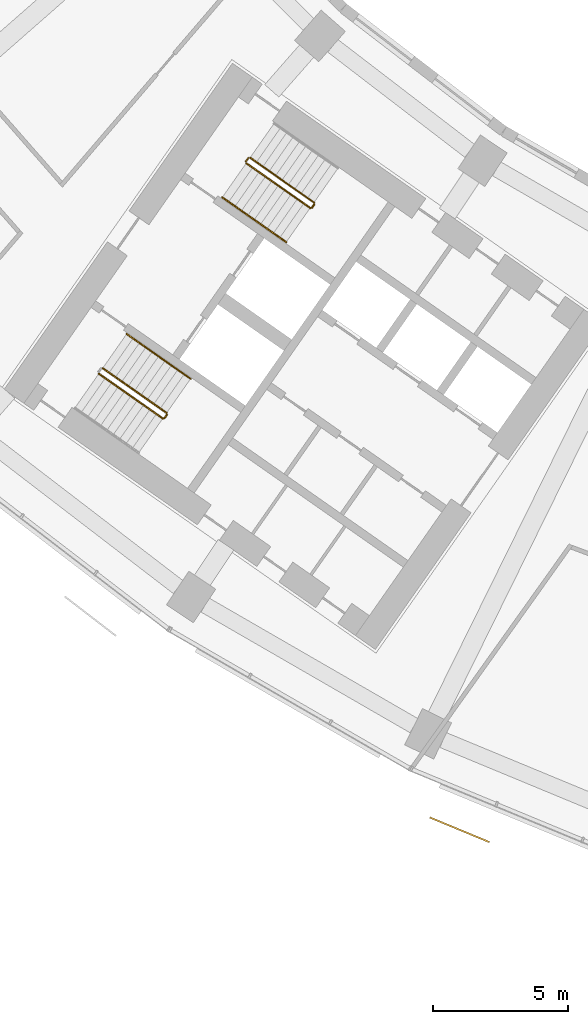
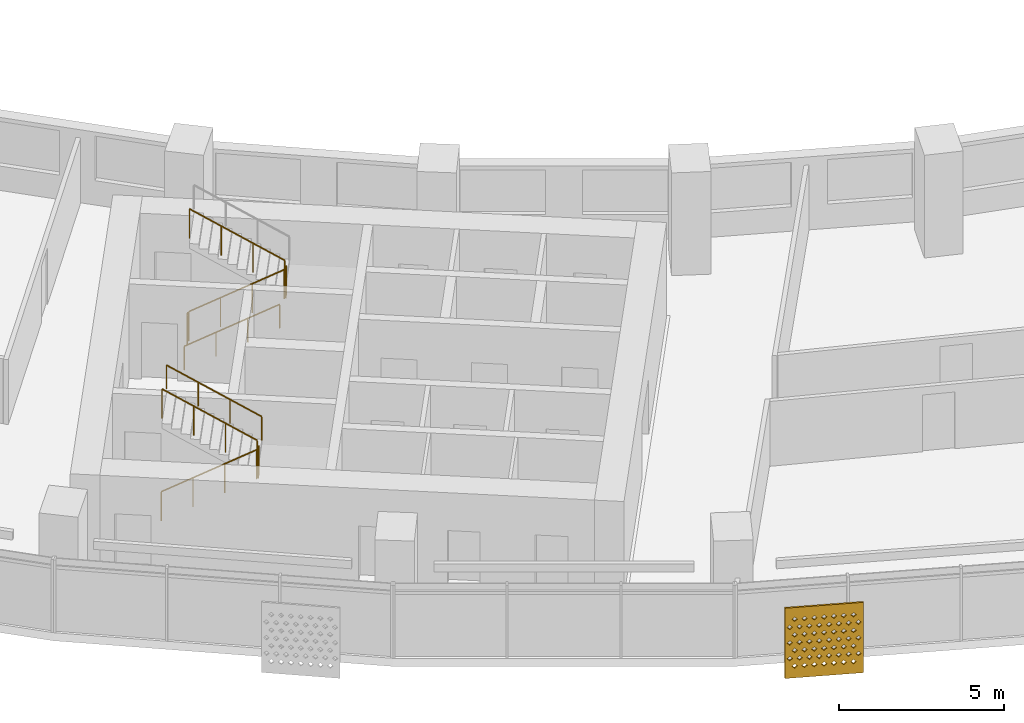
# One storey, part 24 of 29: 7 railings, 1 shading device.
"""IFC4 building model written with IfcOpenShell, lengths in metres."""

import ifcopenshell
import ifcopenshell.guid

model = None  # the IFC model being written
_history = None  # IfcOwnerHistory: only IFC2X3 demands one
_inside = {}  # id of a spatial element -> (the spatial element, [elements in it])
_under = {}  # id of a project, library or spatial element -> (it, [spatial elements below it])
_declared = {}  # id of a project -> (the project, [libraries it declares])
_typed = {}  # id of a type object -> (the type object, [elements of that type])
_made_of = {}  # id of a material, layer set ... -> (it, [elements and type objects made of it])


def new_model(schema):
    """Start an empty IFC model of exactly this schema.

    Asked for "IFC4X3", IfcOpenShell would pick the latest addendum, in which some entities
    have other attributes; the version numbers below select the first issue.
    IFC2X3 requires an IfcOwnerHistory on every rooted entity: one is made here for all.
    """
    global model, _history
    if schema == "IFC4X3":
        model = ifcopenshell.file(schema_version=(4, 3, 0, 0))
    else:
        model = ifcopenshell.file(schema=schema)
    _inside.clear()
    _under.clear()
    _declared.clear()
    _typed.clear()
    _made_of.clear()
    _history = None
    if model.schema == "IFC2X3":
        org = make("IfcOrganization", Name="unknown")
        user = make(
            "IfcPersonAndOrganization",
            ThePerson=make("IfcPerson", FamilyName="unknown"),
            TheOrganization=org,
        )
        app = make(
            "IfcApplication",
            ApplicationDeveloper=org,
            Version="unknown",
            ApplicationFullName="unknown",
            ApplicationIdentifier="unknown",
        )
        _history = make(
            "IfcOwnerHistory",
            OwningUser=user,
            OwningApplication=app,
            ChangeAction="ADDED",
            CreationDate=0,
        )
    return model


def make(cls, **values):
    """One entity of the class cls with the attributes given. An attribute that is None is left unset."""
    return model.create_entity(
        cls, **{name: value for name, value in values.items() if value is not None}
    )


def rooted(cls, **values):
    """An entity with a GlobalId (a new one), such as an element, a storey or a relation."""
    return make(cls, GlobalId=ifcopenshell.guid.new(), OwnerHistory=_history, **values)


def si_unit(unit_type, name, prefix=None):
    """IfcSIUnit, for example si_unit("LENGTHUNIT", "METRE", prefix="MILLI")."""
    return make("IfcSIUnit", UnitType=unit_type, Prefix=prefix, Name=name)


def assignment(units):
    """IfcUnitAssignment: the units of a project."""
    return None if units is None else make("IfcUnitAssignment", Units=units)


def point(xyz):
    """IfcCartesianPoint."""
    return None if xyz is None else make("IfcCartesianPoint", Coordinates=xyz)


def direction(xyz):
    """IfcDirection."""
    return None if xyz is None else make("IfcDirection", DirectionRatios=xyz)


def frame(location, z_axis=None, x_axis=None):
    """IfcAxis2Placement3D, a coordinate frame: its origin and axes. An axis left out is left unset."""
    return make(
        "IfcAxis2Placement3D",
        Location=point(location),
        Axis=direction(z_axis),
        RefDirection=direction(x_axis),
    )


def frame_2d(location, x_axis=None):
    """IfcAxis2Placement2D, a coordinate frame in the plane: its origin and x axis."""
    return make(
        "IfcAxis2Placement2D", Location=point(location), RefDirection=direction(x_axis)
    )


def origin():
    """The frame at (0, 0, 0) with its axes left unset."""
    return frame((0.0, 0.0, 0.0))


def origin_2d():
    """The frame at (0, 0) in the plane with its x axis left unset."""
    return frame_2d((0.0, 0.0))


def place(relative_to, where):
    """IfcLocalPlacement: puts the frame where relative to a parent placement (None: the world)."""
    return make(
        "IfcLocalPlacement", PlacementRelTo=relative_to, RelativePlacement=where
    )


def context(
    kind, dimensions, precision=None, world=None, true_north=None, identifier=None
):
    """IfcGeometricRepresentationContext, for example the 3D "Model" context."""
    return make(
        "IfcGeometricRepresentationContext",
        ContextIdentifier=identifier,
        ContextType=kind,
        CoordinateSpaceDimension=dimensions,
        Precision=precision,
        WorldCoordinateSystem=world,
        TrueNorth=true_north,
    )


def subcontext(parent, identifier, kind, view, scale=None):
    """IfcGeometricRepresentationSubContext, for example "Body" below "Model"."""
    return make(
        "IfcGeometricRepresentationSubContext",
        ContextIdentifier=identifier,
        ContextType=kind,
        ParentContext=parent,
        TargetScale=scale,
        TargetView=view,
    )


def project(units=None, contexts=None):
    """IfcProject with its units and contexts."""
    return rooted(
        "IfcProject",
        Name="project",
        RepresentationContexts=contexts,
        UnitsInContext=assignment(units),
    )


def spatial(cls, under=None, at=None, **own):
    """A site, building, storey or space (cls), placed at a placement, below another one or the project."""
    s = rooted(cls, ObjectPlacement=at, **own)
    if under is not None:
        _under.setdefault(under.id(), (under, []))[1].append(s)
    return s


def polyline(points):
    """IfcPolyline through the points."""
    return make("IfcPolyline", Points=[point(p) for p in points])


def profile(cls, at=None, kind="AREA", **sizes):
    """A parametric profile (cls). Its sizes go by their IFC names, for example OverallWidth=200.0."""
    return make(cls, ProfileType=kind, Position=at, **sizes)


def circle(**sizes):
    """IfcCircleProfileDef."""
    return profile("IfcCircleProfileDef", **sizes)


def outline(outer, holes=None, kind="AREA"):
    """IfcArbitraryClosedProfileDef: a profile drawn as a closed curve; with holes, ...WithVoids."""
    if holes is None:
        return make("IfcArbitraryClosedProfileDef", ProfileType=kind, OuterCurve=outer)
    return make(
        "IfcArbitraryProfileDefWithVoids",
        ProfileType=kind,
        OuterCurve=outer,
        InnerCurves=holes,
    )


def extrude(swept, where, along, depth):
    """IfcExtrudedAreaSolid: the profile swept, set in the frame where, extruded along a direction by depth."""
    return make(
        "IfcExtrudedAreaSolid",
        SweptArea=swept,
        Position=where,
        ExtrudedDirection=direction(along),
        Depth=depth,
    )


def shape(context_of_items, identifier, shape_type, items):
    """IfcShapeRepresentation: the items that make up one representation, for example the "Body"."""
    return make(
        "IfcShapeRepresentation",
        ContextOfItems=context_of_items,
        RepresentationIdentifier=identifier,
        RepresentationType=shape_type,
        Items=items,
    )


def material(Name=None, Category=None):
    """IfcMaterial."""
    return make("IfcMaterial", Name=Name, Category=Category)


def material_profile(
    of_material, cross_section, Name=None, Category=None, Priority=None
):
    """IfcMaterialProfile: a cross section and its material."""
    return make(
        "IfcMaterialProfile",
        Name=Name,
        Material=of_material,
        Profile=cross_section,
        Priority=Priority,
        Category=Category,
    )


def profile_set(profiles, Name=None, composite=None):
    """IfcMaterialProfileSet."""
    return make(
        "IfcMaterialProfileSet",
        Name=Name,
        MaterialProfiles=profiles,
        CompositeProfile=composite,
    )


def made_of(thing, what):
    """Note that an element or type object is made of a material, layer set ...; save() writes the relation."""
    if what is not None:
        _made_of.setdefault(what.id(), (what, []))[1].append(thing)
    return thing


def type_object(cls, material=None, **own):
    """A type object (cls), such as IfcWallType, which elements share."""
    return made_of(rooted(cls, **own), material)


def element(
    cls,
    number,
    at=None,
    inside=None,
    cuts=None,
    type_object=None,
    material=None,
    context=None,
    identifier="Body",
    shape_type=None,
    held_by="IfcProductDefinitionShape",
    body=None,
    shapes=None,
    **own,
):
    """One element of the class cls, such as IfcWall. Its Tag is "e" and its number.

    at: its placement. inside: the storey or other place that contains it. cuts: it is an
    opening in that element (IfcRelVoidsElement). A single representation is given by context,
    identifier, shape_type and body (its items); several are given by shapes. held_by: the class
    of the entity that holds the representations. save() writes the other relations.
    """
    e = rooted(cls, Tag="e%d" % number, ObjectPlacement=at, **own)
    if body is not None:
        shapes = [shape(context, identifier, shape_type, body)]
    if shapes is not None:
        e.Representation = make(held_by, Representations=shapes)
    if inside is not None:
        _inside.setdefault(inside.id(), (inside, []))[1].append(e)
    if cuts is not None:
        rooted(
            "IfcRelVoidsElement", RelatingBuildingElement=cuts, RelatedOpeningElement=e
        )
    if type_object is not None:
        _typed.setdefault(type_object.id(), (type_object, []))[1].append(e)
    return made_of(e, material)


def aggregate(whole, parts):
    """IfcRelAggregates: a whole, such as a stair, and the parts it consists of."""
    return rooted("IfcRelAggregates", RelatingObject=whole, RelatedObjects=parts)


def save(model, path):
    """Write the relations noted so far, then the file.

    IfcRelAggregates (storeys below a building ...), IfcRelContainedInSpatialStructure (elements
    in a storey), IfcRelDefinesByType, IfcRelAssociatesMaterial and IfcRelDeclares: one each for
    every whole, place, type object, material and project.
    """
    for whole, parts in _under.values():
        aggregate(whole, parts)
    for where, things in _inside.values():
        rooted(
            "IfcRelContainedInSpatialStructure",
            RelatedElements=things,
            RelatingStructure=where,
        )
    for kind, things in _typed.values():
        rooted("IfcRelDefinesByType", RelatedObjects=things, RelatingType=kind)
    for what, things in _made_of.values():
        rooted("IfcRelAssociatesMaterial", RelatedObjects=things, RelatingMaterial=what)
    for by, libraries in _declared.values():
        rooted("IfcRelDeclares", RelatingContext=by, RelatedDefinitions=libraries)
    model.write(path)


model = new_model("IFC4")

# Units and contexts
model_context = context("Model", 3, precision=1e-05, world=origin(), true_north=direction((0.0, 1.0)))
body_context = subcontext(model_context, "Body", "Model", "MODEL_VIEW")
ifc_project = project(units=[si_unit("LENGTHUNIT", "METRE"), si_unit("AREAUNIT", "SQUARE_METRE"), si_unit("VOLUMEUNIT", "CUBIC_METRE"), si_unit("PLANEANGLEUNIT", "RADIAN"), si_unit("MASSUNIT", "GRAM", prefix="KILO")], contexts=[model_context])

# Site, building, storey
site_placement = place(None, origin())
site = spatial("IfcSite", under=ifc_project, at=site_placement, CompositionType="ELEMENT")
building_placement = place(site_placement, origin())
building = spatial("IfcBuilding", under=site, at=building_placement, Name="Qamariyya Broadcast Tower", CompositionType="ELEMENT")
storey_placement = place(building_placement, frame((0.0, 0.0, 113.89990234375)))
storey = spatial("IfcBuildingStorey", under=building, at=storey_placement, Name="L25", CompositionType="ELEMENT", Elevation=113.89990234375)

# Shading device
ifc_material_1 = material(Name="Perforated glazed terracotta", Category="masonry")
ifc_material_profile = material_profile(ifc_material_1, outline(polyline([(-1.199951171875, -1.300048828125), (1.199951171875, -1.300048828125), (1.199951171875, 1.300048828125), (-1.199951171875, 1.300048828125), (-1.199951171875, -1.300048828125)]), holes=[polyline([(-0.81494140625, -0.86669921875), (-0.89990234375, -0.78173828125), (-0.985107421875, -0.86669921875), (-0.89990234375, -0.95166015625), (-0.81494140625, -0.86669921875)]), polyline([(-0.514892578125, -0.86669921875), (-0.60009765625, -0.78173828125), (-0.68505859375, -0.86669921875), (-0.60009765625, -0.95166015625), (-0.514892578125, -0.86669921875)]), polyline([(-0.215087890625, -0.86669921875), (-0.300048828125, -0.78173828125), (-0.385009765625, -0.86669921875), (-0.300048828125, -0.95166015625), (-0.215087890625, -0.86669921875)]), polyline([(0.0849609375, -0.86669921875), (0.0, -0.78173828125), (-0.0849609375, -0.86669921875), (0.0, -0.95166015625), (0.0849609375, -0.86669921875)]), polyline([(0.385009765625, -0.86669921875), (0.300048828125, -0.78173828125), (0.215087890625, -0.86669921875), (0.300048828125, -0.95166015625), (0.385009765625, -0.86669921875)]), polyline([(0.68505859375, -0.86669921875), (0.60009765625, -0.78173828125), (0.514892578125, -0.86669921875), (0.60009765625, -0.95166015625), (0.68505859375, -0.86669921875)]), polyline([(0.985107421875, -0.86669921875), (0.89990234375, -0.78173828125), (0.81494140625, -0.86669921875), (0.89990234375, -0.95166015625), (0.985107421875, -0.86669921875)]), polyline([(-0.965087890625, -0.577880859375), (-1.050048828125, -0.49267578125), (-1.135009765625, -0.577880859375), (-1.050048828125, -0.662841796875), (-0.965087890625, -0.577880859375)]), polyline([(-0.6650390625, -0.577880859375), (-0.75, -0.49267578125), (-0.8349609375, -0.577880859375), (-0.75, -0.662841796875), (-0.6650390625, -0.577880859375)]), polyline([(-0.364990234375, -0.577880859375), (-0.449951171875, -0.49267578125), (-0.534912109375, -0.577880859375), (-0.449951171875, -0.662841796875), (-0.364990234375, -0.577880859375)]), polyline([(-0.06494140625, -0.577880859375), (-0.14990234375, -0.49267578125), (-0.235107421875, -0.577880859375), (-0.14990234375, -0.662841796875), (-0.06494140625, -0.577880859375)]), polyline([(0.235107421875, -0.577880859375), (0.14990234375, -0.49267578125), (0.06494140625, -0.577880859375), (0.14990234375, -0.662841796875), (0.235107421875, -0.577880859375)]), polyline([(0.534912109375, -0.577880859375), (0.449951171875, -0.49267578125), (0.364990234375, -0.577880859375), (0.449951171875, -0.662841796875), (0.534912109375, -0.577880859375)]), polyline([(0.8349609375, -0.577880859375), (0.75, -0.49267578125), (0.6650390625, -0.577880859375), (0.75, -0.662841796875), (0.8349609375, -0.577880859375)]), polyline([(1.135009765625, -0.577880859375), (1.050048828125, -0.49267578125), (0.965087890625, -0.577880859375), (1.050048828125, -0.662841796875), (1.135009765625, -0.577880859375)]), polyline([(-0.81494140625, -0.288818359375), (-0.89990234375, -0.203857421875), (-0.985107421875, -0.288818359375), (-0.89990234375, -0.373779296875), (-0.81494140625, -0.288818359375)]), polyline([(-0.514892578125, -0.288818359375), (-0.60009765625, -0.203857421875), (-0.68505859375, -0.288818359375), (-0.60009765625, -0.373779296875), (-0.514892578125, -0.288818359375)]), polyline([(-0.215087890625, -0.288818359375), (-0.300048828125, -0.203857421875), (-0.385009765625, -0.288818359375), (-0.300048828125, -0.373779296875), (-0.215087890625, -0.288818359375)]), polyline([(0.0849609375, -0.288818359375), (0.0, -0.203857421875), (-0.0849609375, -0.288818359375), (0.0, -0.373779296875), (0.0849609375, -0.288818359375)]), polyline([(0.385009765625, -0.288818359375), (0.300048828125, -0.203857421875), (0.215087890625, -0.288818359375), (0.300048828125, -0.373779296875), (0.385009765625, -0.288818359375)]), polyline([(0.68505859375, -0.288818359375), (0.60009765625, -0.203857421875), (0.514892578125, -0.288818359375), (0.60009765625, -0.373779296875), (0.68505859375, -0.288818359375)]), polyline([(0.985107421875, -0.288818359375), (0.89990234375, -0.203857421875), (0.81494140625, -0.288818359375), (0.89990234375, -0.373779296875), (0.985107421875, -0.288818359375)]), polyline([(-0.965087890625, 0.0), (-1.050048828125, 0.0849609375), (-1.135009765625, 0.0), (-1.050048828125, -0.0849609375), (-0.965087890625, 0.0)]), polyline([(-0.6650390625, 0.0), (-0.75, 0.0849609375), (-0.8349609375, 0.0), (-0.75, -0.0849609375), (-0.6650390625, 0.0)]), polyline([(-0.364990234375, 0.0), (-0.449951171875, 0.0849609375), (-0.534912109375, 0.0), (-0.449951171875, -0.0849609375), (-0.364990234375, 0.0)]), polyline([(-0.06494140625, 0.0), (-0.14990234375, 0.0849609375), (-0.235107421875, 0.0), (-0.14990234375, -0.0849609375), (-0.06494140625, 0.0)]), polyline([(0.235107421875, 0.0), (0.14990234375, 0.0849609375), (0.06494140625, 0.0), (0.14990234375, -0.0849609375), (0.235107421875, 0.0)]), polyline([(0.534912109375, 0.0), (0.449951171875, 0.0849609375), (0.364990234375, 0.0), (0.449951171875, -0.0849609375), (0.534912109375, 0.0)]), polyline([(0.8349609375, 0.0), (0.75, 0.0849609375), (0.6650390625, 0.0), (0.75, -0.0849609375), (0.8349609375, 0.0)]), polyline([(1.135009765625, 0.0), (1.050048828125, 0.0849609375), (0.965087890625, 0.0), (1.050048828125, -0.0849609375), (1.135009765625, 0.0)]), polyline([(-0.81494140625, 0.288818359375), (-0.89990234375, 0.373779296875), (-0.985107421875, 0.288818359375), (-0.89990234375, 0.203857421875), (-0.81494140625, 0.288818359375)]), polyline([(-0.514892578125, 0.288818359375), (-0.60009765625, 0.373779296875), (-0.68505859375, 0.288818359375), (-0.60009765625, 0.203857421875), (-0.514892578125, 0.288818359375)]), polyline([(-0.215087890625, 0.288818359375), (-0.300048828125, 0.373779296875), (-0.385009765625, 0.288818359375), (-0.300048828125, 0.203857421875), (-0.215087890625, 0.288818359375)]), polyline([(0.0849609375, 0.288818359375), (0.0, 0.373779296875), (-0.0849609375, 0.288818359375), (0.0, 0.203857421875), (0.0849609375, 0.288818359375)]), polyline([(0.385009765625, 0.288818359375), (0.300048828125, 0.373779296875), (0.215087890625, 0.288818359375), (0.300048828125, 0.203857421875), (0.385009765625, 0.288818359375)]), polyline([(0.68505859375, 0.288818359375), (0.60009765625, 0.373779296875), (0.514892578125, 0.288818359375), (0.60009765625, 0.203857421875), (0.68505859375, 0.288818359375)]), polyline([(0.985107421875, 0.288818359375), (0.89990234375, 0.373779296875), (0.81494140625, 0.288818359375), (0.89990234375, 0.203857421875), (0.985107421875, 0.288818359375)]), polyline([(-0.965087890625, 0.577880859375), (-1.050048828125, 0.662841796875), (-1.135009765625, 0.577880859375), (-1.050048828125, 0.49267578125), (-0.965087890625, 0.577880859375)]), polyline([(-0.6650390625, 0.577880859375), (-0.75, 0.662841796875), (-0.8349609375, 0.577880859375), (-0.75, 0.49267578125), (-0.6650390625, 0.577880859375)]), polyline([(-0.364990234375, 0.577880859375), (-0.449951171875, 0.662841796875), (-0.534912109375, 0.577880859375), (-0.449951171875, 0.49267578125), (-0.364990234375, 0.577880859375)]), polyline([(-0.06494140625, 0.577880859375), (-0.14990234375, 0.662841796875), (-0.235107421875, 0.577880859375), (-0.14990234375, 0.49267578125), (-0.06494140625, 0.577880859375)]), polyline([(0.235107421875, 0.577880859375), (0.14990234375, 0.662841796875), (0.06494140625, 0.577880859375), (0.14990234375, 0.49267578125), (0.235107421875, 0.577880859375)]), polyline([(0.534912109375, 0.577880859375), (0.449951171875, 0.662841796875), (0.364990234375, 0.577880859375), (0.449951171875, 0.49267578125), (0.534912109375, 0.577880859375)]), polyline([(0.8349609375, 0.577880859375), (0.75, 0.662841796875), (0.6650390625, 0.577880859375), (0.75, 0.49267578125), (0.8349609375, 0.577880859375)]), polyline([(1.135009765625, 0.577880859375), (1.050048828125, 0.662841796875), (0.965087890625, 0.577880859375), (1.050048828125, 0.49267578125), (1.135009765625, 0.577880859375)]), polyline([(-0.81494140625, 0.86669921875), (-0.89990234375, 0.95166015625), (-0.985107421875, 0.86669921875), (-0.89990234375, 0.78173828125), (-0.81494140625, 0.86669921875)]), polyline([(-0.514892578125, 0.86669921875), (-0.60009765625, 0.95166015625), (-0.68505859375, 0.86669921875), (-0.60009765625, 0.78173828125), (-0.514892578125, 0.86669921875)]), polyline([(-0.215087890625, 0.86669921875), (-0.300048828125, 0.95166015625), (-0.385009765625, 0.86669921875), (-0.300048828125, 0.78173828125), (-0.215087890625, 0.86669921875)]), polyline([(0.0849609375, 0.86669921875), (0.0, 0.95166015625), (-0.0849609375, 0.86669921875), (0.0, 0.78173828125), (0.0849609375, 0.86669921875)]), polyline([(0.385009765625, 0.86669921875), (0.300048828125, 0.95166015625), (0.215087890625, 0.86669921875), (0.300048828125, 0.78173828125), (0.385009765625, 0.86669921875)]), polyline([(0.68505859375, 0.86669921875), (0.60009765625, 0.95166015625), (0.514892578125, 0.86669921875), (0.60009765625, 0.78173828125), (0.68505859375, 0.86669921875)]), polyline([(0.985107421875, 0.86669921875), (0.89990234375, 0.95166015625), (0.81494140625, 0.86669921875), (0.89990234375, 0.78173828125), (0.985107421875, 0.86669921875)])]))
ifc_profile_set = profile_set([ifc_material_profile], Name="Perforated glazed terracotta")
shading_device_type = type_object("IfcShadingDeviceType", Name="Perforated terracotta screen 2400 x 2600", PredefinedType="USERDEFINED", material=ifc_profile_set)
shading_device_placement = place(storey_placement, frame((-33.206787109375, -73.269775390625, 1.35009765625), z_axis=(-0.382591441855, -0.923917630863, 0.0), x_axis=(0.923917630863, -0.382591441855, 0.0)))
element("IfcShadingDevice", 1, at=shading_device_placement, inside=storey, type_object=shading_device_type, Name="e-scr-L25-06-0", ObjectType="SCREEN", PredefinedType="USERDEFINED", context=body_context, shape_type="SweptSolid", body=[
    extrude(outline(polyline([(-1.199951171875, -1.300048828125), (1.199951171875, -1.300048828125), (1.199951171875, 1.300048828125), (-1.199951171875, 1.300048828125), (-1.199951171875, -1.300048828125)]), holes=[polyline([(-0.81494140625, -0.86669921875), (-0.89990234375, -0.78173828125), (-0.985107421875, -0.86669921875), (-0.89990234375, -0.95166015625), (-0.81494140625, -0.86669921875)]), polyline([(-0.514892578125, -0.86669921875), (-0.60009765625, -0.78173828125), (-0.68505859375, -0.86669921875), (-0.60009765625, -0.95166015625), (-0.514892578125, -0.86669921875)]), polyline([(-0.215087890625, -0.86669921875), (-0.300048828125, -0.78173828125), (-0.385009765625, -0.86669921875), (-0.300048828125, -0.95166015625), (-0.215087890625, -0.86669921875)]), polyline([(0.0849609375, -0.86669921875), (0.0, -0.78173828125), (-0.0849609375, -0.86669921875), (0.0, -0.95166015625), (0.0849609375, -0.86669921875)]), polyline([(0.385009765625, -0.86669921875), (0.300048828125, -0.78173828125), (0.215087890625, -0.86669921875), (0.300048828125, -0.95166015625), (0.385009765625, -0.86669921875)]), polyline([(0.68505859375, -0.86669921875), (0.60009765625, -0.78173828125), (0.514892578125, -0.86669921875), (0.60009765625, -0.95166015625), (0.68505859375, -0.86669921875)]), polyline([(0.985107421875, -0.86669921875), (0.89990234375, -0.78173828125), (0.81494140625, -0.86669921875), (0.89990234375, -0.95166015625), (0.985107421875, -0.86669921875)]), polyline([(-0.965087890625, -0.577880859375), (-1.050048828125, -0.49267578125), (-1.135009765625, -0.577880859375), (-1.050048828125, -0.662841796875), (-0.965087890625, -0.577880859375)]), polyline([(-0.6650390625, -0.577880859375), (-0.75, -0.49267578125), (-0.8349609375, -0.577880859375), (-0.75, -0.662841796875), (-0.6650390625, -0.577880859375)]), polyline([(-0.364990234375, -0.577880859375), (-0.449951171875, -0.49267578125), (-0.534912109375, -0.577880859375), (-0.449951171875, -0.662841796875), (-0.364990234375, -0.577880859375)]), polyline([(-0.06494140625, -0.577880859375), (-0.14990234375, -0.49267578125), (-0.235107421875, -0.577880859375), (-0.14990234375, -0.662841796875), (-0.06494140625, -0.577880859375)]), polyline([(0.235107421875, -0.577880859375), (0.14990234375, -0.49267578125), (0.06494140625, -0.577880859375), (0.14990234375, -0.662841796875), (0.235107421875, -0.577880859375)]), polyline([(0.534912109375, -0.577880859375), (0.449951171875, -0.49267578125), (0.364990234375, -0.577880859375), (0.449951171875, -0.662841796875), (0.534912109375, -0.577880859375)]), polyline([(0.8349609375, -0.577880859375), (0.75, -0.49267578125), (0.6650390625, -0.577880859375), (0.75, -0.662841796875), (0.8349609375, -0.577880859375)]), polyline([(1.135009765625, -0.577880859375), (1.050048828125, -0.49267578125), (0.965087890625, -0.577880859375), (1.050048828125, -0.662841796875), (1.135009765625, -0.577880859375)]), polyline([(-0.81494140625, -0.288818359375), (-0.89990234375, -0.203857421875), (-0.985107421875, -0.288818359375), (-0.89990234375, -0.373779296875), (-0.81494140625, -0.288818359375)]), polyline([(-0.514892578125, -0.288818359375), (-0.60009765625, -0.203857421875), (-0.68505859375, -0.288818359375), (-0.60009765625, -0.373779296875), (-0.514892578125, -0.288818359375)]), polyline([(-0.215087890625, -0.288818359375), (-0.300048828125, -0.203857421875), (-0.385009765625, -0.288818359375), (-0.300048828125, -0.373779296875), (-0.215087890625, -0.288818359375)]), polyline([(0.0849609375, -0.288818359375), (0.0, -0.203857421875), (-0.0849609375, -0.288818359375), (0.0, -0.373779296875), (0.0849609375, -0.288818359375)]), polyline([(0.385009765625, -0.288818359375), (0.300048828125, -0.203857421875), (0.215087890625, -0.288818359375), (0.300048828125, -0.373779296875), (0.385009765625, -0.288818359375)]), polyline([(0.68505859375, -0.288818359375), (0.60009765625, -0.203857421875), (0.514892578125, -0.288818359375), (0.60009765625, -0.373779296875), (0.68505859375, -0.288818359375)]), polyline([(0.985107421875, -0.288818359375), (0.89990234375, -0.203857421875), (0.81494140625, -0.288818359375), (0.89990234375, -0.373779296875), (0.985107421875, -0.288818359375)]), polyline([(-0.965087890625, 0.0), (-1.050048828125, 0.0849609375), (-1.135009765625, 0.0), (-1.050048828125, -0.0849609375), (-0.965087890625, 0.0)]), polyline([(-0.6650390625, 0.0), (-0.75, 0.0849609375), (-0.8349609375, 0.0), (-0.75, -0.0849609375), (-0.6650390625, 0.0)]), polyline([(-0.364990234375, 0.0), (-0.449951171875, 0.0849609375), (-0.534912109375, 0.0), (-0.449951171875, -0.0849609375), (-0.364990234375, 0.0)]), polyline([(-0.06494140625, 0.0), (-0.14990234375, 0.0849609375), (-0.235107421875, 0.0), (-0.14990234375, -0.0849609375), (-0.06494140625, 0.0)]), polyline([(0.235107421875, 0.0), (0.14990234375, 0.0849609375), (0.06494140625, 0.0), (0.14990234375, -0.0849609375), (0.235107421875, 0.0)]), polyline([(0.534912109375, 0.0), (0.449951171875, 0.0849609375), (0.364990234375, 0.0), (0.449951171875, -0.0849609375), (0.534912109375, 0.0)]), polyline([(0.8349609375, 0.0), (0.75, 0.0849609375), (0.6650390625, 0.0), (0.75, -0.0849609375), (0.8349609375, 0.0)]), polyline([(1.135009765625, 0.0), (1.050048828125, 0.0849609375), (0.965087890625, 0.0), (1.050048828125, -0.0849609375), (1.135009765625, 0.0)]), polyline([(-0.81494140625, 0.288818359375), (-0.89990234375, 0.373779296875), (-0.985107421875, 0.288818359375), (-0.89990234375, 0.203857421875), (-0.81494140625, 0.288818359375)]), polyline([(-0.514892578125, 0.288818359375), (-0.60009765625, 0.373779296875), (-0.68505859375, 0.288818359375), (-0.60009765625, 0.203857421875), (-0.514892578125, 0.288818359375)]), polyline([(-0.215087890625, 0.288818359375), (-0.300048828125, 0.373779296875), (-0.385009765625, 0.288818359375), (-0.300048828125, 0.203857421875), (-0.215087890625, 0.288818359375)]), polyline([(0.0849609375, 0.288818359375), (0.0, 0.373779296875), (-0.0849609375, 0.288818359375), (0.0, 0.203857421875), (0.0849609375, 0.288818359375)]), polyline([(0.385009765625, 0.288818359375), (0.300048828125, 0.373779296875), (0.215087890625, 0.288818359375), (0.300048828125, 0.203857421875), (0.385009765625, 0.288818359375)]), polyline([(0.68505859375, 0.288818359375), (0.60009765625, 0.373779296875), (0.514892578125, 0.288818359375), (0.60009765625, 0.203857421875), (0.68505859375, 0.288818359375)]), polyline([(0.985107421875, 0.288818359375), (0.89990234375, 0.373779296875), (0.81494140625, 0.288818359375), (0.89990234375, 0.203857421875), (0.985107421875, 0.288818359375)]), polyline([(-0.965087890625, 0.577880859375), (-1.050048828125, 0.662841796875), (-1.135009765625, 0.577880859375), (-1.050048828125, 0.49267578125), (-0.965087890625, 0.577880859375)]), polyline([(-0.6650390625, 0.577880859375), (-0.75, 0.662841796875), (-0.8349609375, 0.577880859375), (-0.75, 0.49267578125), (-0.6650390625, 0.577880859375)]), polyline([(-0.364990234375, 0.577880859375), (-0.449951171875, 0.662841796875), (-0.534912109375, 0.577880859375), (-0.449951171875, 0.49267578125), (-0.364990234375, 0.577880859375)]), polyline([(-0.06494140625, 0.577880859375), (-0.14990234375, 0.662841796875), (-0.235107421875, 0.577880859375), (-0.14990234375, 0.49267578125), (-0.06494140625, 0.577880859375)]), polyline([(0.235107421875, 0.577880859375), (0.14990234375, 0.662841796875), (0.06494140625, 0.577880859375), (0.14990234375, 0.49267578125), (0.235107421875, 0.577880859375)]), polyline([(0.534912109375, 0.577880859375), (0.449951171875, 0.662841796875), (0.364990234375, 0.577880859375), (0.449951171875, 0.49267578125), (0.534912109375, 0.577880859375)]), polyline([(0.8349609375, 0.577880859375), (0.75, 0.662841796875), (0.6650390625, 0.577880859375), (0.75, 0.49267578125), (0.8349609375, 0.577880859375)]), polyline([(1.135009765625, 0.577880859375), (1.050048828125, 0.662841796875), (0.965087890625, 0.577880859375), (1.050048828125, 0.49267578125), (1.135009765625, 0.577880859375)]), polyline([(-0.81494140625, 0.86669921875), (-0.89990234375, 0.95166015625), (-0.985107421875, 0.86669921875), (-0.89990234375, 0.78173828125), (-0.81494140625, 0.86669921875)]), polyline([(-0.514892578125, 0.86669921875), (-0.60009765625, 0.95166015625), (-0.68505859375, 0.86669921875), (-0.60009765625, 0.78173828125), (-0.514892578125, 0.86669921875)]), polyline([(-0.215087890625, 0.86669921875), (-0.300048828125, 0.95166015625), (-0.385009765625, 0.86669921875), (-0.300048828125, 0.78173828125), (-0.215087890625, 0.86669921875)]), polyline([(0.0849609375, 0.86669921875), (0.0, 0.95166015625), (-0.0849609375, 0.86669921875), (0.0, 0.78173828125), (0.0849609375, 0.86669921875)]), polyline([(0.385009765625, 0.86669921875), (0.300048828125, 0.95166015625), (0.215087890625, 0.86669921875), (0.300048828125, 0.78173828125), (0.385009765625, 0.86669921875)]), polyline([(0.68505859375, 0.86669921875), (0.60009765625, 0.95166015625), (0.514892578125, 0.86669921875), (0.60009765625, 0.78173828125), (0.68505859375, 0.86669921875)]), polyline([(0.985107421875, 0.86669921875), (0.89990234375, 0.95166015625), (0.81494140625, 0.86669921875), (0.89990234375, 0.78173828125), (0.985107421875, 0.86669921875)])]), origin(), (0.0, 0.0, 1.0), 0.06005859375),
])

# Railings
ifc_material_2 = material(Name="Painted steel", Category="steel")
railing_type_1 = type_object("IfcRailingType", Name="Stair guard", PredefinedType="GUARDRAIL", material=ifc_material_2)
railing_1_placement = place(storey_placement, frame((-41.146728515625, -48.52490234375, 0.1728515625)))
element("IfcRailing", 2, at=railing_1_placement, inside=storey, type_object=railing_type_1, Name="L25 ST-W2 stair guard 1", PredefinedType="GUARDRAIL", context=body_context, shape_type="SweptSolid", body=[
    extrude(circle(Radius=0.02392578125, at=origin_2d()), frame((0.0, 0.0, 1.076171875), z_axis=(0.703770094002, -0.492783725636, 0.511734163933), x_axis=(0.573575343427, 0.819152809562, 0.0)), (0.0, 0.0, 1.0), 3.37548828125),
    extrude(circle(Radius=0.02392578125, at=origin_2d()), frame((2.37548828125, -1.663330078125, 2.80322265625), z_axis=(0.985059694769, 0.172213233351, 0.0), x_axis=(-0.172213233351, 0.985059694769, 0.0)), (0.0, 0.0, 1.0), 0.07080078125),
    extrude(circle(Radius=0.02392578125, at=origin_2d()), frame((2.4453125, -1.651123046875, 2.80322265625), z_axis=(0.572588637393, 0.819842821722, 0.0), x_axis=(-0.819842821722, 0.572588637393, 0.0)), (0.0, 0.0, 1.0), 0.150146484375),
    extrude(circle(Radius=0.02099609375, at=origin_2d()), origin(), (0.0, 0.0, 1.0), 1.052001953125),
    extrude(circle(Radius=0.02099609375, at=origin_2d()), frame((0.791748046875, -0.554443359375, 0.57568359375)), (0.0, 0.0, 1.0), 1.052001953125),
    extrude(circle(Radius=0.02099609375, at=origin_2d()), frame((1.583740234375, -1.10888671875, 1.151611328125)), (0.0, 0.0, 1.0), 1.052001953125),
    extrude(circle(Radius=0.02099609375, at=origin_2d()), frame((2.37548828125, -1.663330078125, 1.727294921875)), (0.0, 0.0, 1.0), 1.052001953125),
    extrude(circle(Radius=0.02099609375, at=origin_2d()), frame((2.4453125, -1.651123046875, 1.727294921875)), (0.0, 0.0, 1.0), 1.052001953125),
    extrude(circle(Radius=0.02099609375, at=origin_2d()), frame((2.53125, -1.528076171875, 1.727294921875)), (0.0, 0.0, 1.0), 1.052001953125),
])
railing_2_placement = place(storey_placement, frame((-38.627685546875, -49.9833984375, 2.07275390625)))
element("IfcRailing", 3, at=railing_2_placement, inside=storey, type_object=railing_type_1, Name="L25 ST-W2 stair guard 2", PredefinedType="GUARDRAIL", context=body_context, shape_type="SweptSolid", body=[
    extrude(circle(Radius=0.02392578125, at=origin_2d()), frame((0.0, 0.0, 1.076171875), z_axis=(-0.703770094002, 0.492783725636, 0.511734163933), x_axis=(-0.573575343427, -0.819152809562, 0.0)), (0.0, 0.0, 1.0), 3.37548828125),
    extrude(circle(Radius=0.02099609375, at=origin_2d()), origin(), (0.0, 0.0, 1.0), 1.052001953125),
    extrude(circle(Radius=0.02099609375, at=origin_2d()), frame((-0.791748046875, 0.554443359375, 0.57568359375)), (0.0, 0.0, 1.0), 1.052001953125),
    extrude(circle(Radius=0.02099609375, at=origin_2d()), frame((-1.583740234375, 1.10888671875, 1.151611328125)), (0.0, 0.0, 1.0), 1.052001953125),
    extrude(circle(Radius=0.02099609375, at=origin_2d()), frame((-2.37548828125, 1.663330078125, 1.727294921875)), (0.0, 0.0, 1.0), 1.052001953125),
])
railing_3_placement = place(storey_placement, frame((-41.158935546875, -48.455322265625, 0.0)))
element("IfcRailing", 4, at=railing_3_placement, inside=storey, type_object=railing_type_1, Name="L25 ST-W2 stair guard 3", PredefinedType="GUARDRAIL", context=body_context, shape_type="SweptSolid", body=[
    extrude(circle(Radius=0.02392578125, at=origin_2d()), frame((0.0, 0.0, 1.076171875), z_axis=(0.572588637393, 0.819842821722, 0.0), x_axis=(-0.819842821722, 0.572588637393, 0.0)), (0.0, 0.0, 1.0), 0.150146484375),
    extrude(circle(Radius=0.02099609375, at=origin_2d()), origin(), (0.0, 0.0, 1.0), 1.052001953125),
    extrude(circle(Radius=0.02099609375, at=origin_2d()), frame((0.0859375, 0.123046875, 0.0)), (0.0, 0.0, 1.0), 1.052001953125),
])
railing_4_placement = place(storey_placement, frame((-46.624267578125, -56.34765625, 0.1728515625)))
element("IfcRailing", 5, at=railing_4_placement, inside=storey, type_object=railing_type_1, Name="L25 ST-W1 stair guard 1", PredefinedType="GUARDRAIL", context=body_context, shape_type="SweptSolid", body=[
    extrude(circle(Radius=0.02392578125, at=origin_2d()), frame((0.0, 0.0, 1.076171875), z_axis=(0.703745009021, -0.492838488332, 0.511715923826), x_axis=(0.573631830683, 0.819113253969, 0.0)), (0.0, 0.0, 1.0), 3.37548828125),
    extrude(circle(Radius=0.02392578125, at=origin_2d()), frame((2.37548828125, -1.66357421875, 2.80322265625), z_axis=(0.984363469884, 0.176149252506, 0.0), x_axis=(-0.176149252506, 0.984363469884, 0.0)), (0.0, 0.0, 1.0), 0.07080078125),
    extrude(circle(Radius=0.02392578125, at=origin_2d()), frame((2.445068359375, -1.651123046875, 2.80322265625), z_axis=(0.574444878118, 0.818543268254, 0.0), x_axis=(-0.818543268254, 0.574444878118, 0.0)), (0.0, 0.0, 1.0), 0.150146484375),
    extrude(circle(Radius=0.02099609375, at=origin_2d()), origin(), (0.0, 0.0, 1.0), 1.052001953125),
    extrude(circle(Radius=0.02099609375, at=origin_2d()), frame((0.791748046875, -0.554443359375, 0.57568359375)), (0.0, 0.0, 1.0), 1.052001953125),
    extrude(circle(Radius=0.02099609375, at=origin_2d()), frame((1.583740234375, -1.109130859375, 1.151611328125)), (0.0, 0.0, 1.0), 1.052001953125),
    extrude(circle(Radius=0.02099609375, at=origin_2d()), frame((2.37548828125, -1.66357421875, 1.727294921875)), (0.0, 0.0, 1.0), 1.052001953125),
    extrude(circle(Radius=0.02099609375, at=origin_2d()), frame((2.445068359375, -1.651123046875, 1.727294921875)), (0.0, 0.0, 1.0), 1.052001953125),
    extrude(circle(Radius=0.02099609375, at=origin_2d()), frame((2.53125, -1.5283203125, 1.727294921875)), (0.0, 0.0, 1.0), 1.052001953125),
])
railing_5_placement = place(storey_placement, frame((-44.10546875, -57.806396484375, 2.07275390625)))
element("IfcRailing", 6, at=railing_5_placement, inside=storey, type_object=railing_type_1, Name="L25 ST-W1 stair guard 2", PredefinedType="GUARDRAIL", context=body_context, shape_type="SweptSolid", body=[
    extrude(circle(Radius=0.02392578125, at=origin_2d()), frame((0.0, 0.0, 1.076171875), z_axis=(-0.703770094002, 0.492783725636, 0.511734163933), x_axis=(-0.573575343427, -0.819152809562, 0.0)), (0.0, 0.0, 1.0), 3.37548828125),
    extrude(circle(Radius=0.02099609375, at=origin_2d()), origin(), (0.0, 0.0, 1.0), 1.052001953125),
    extrude(circle(Radius=0.02099609375, at=origin_2d()), frame((-0.791748046875, 0.554443359375, 0.57568359375)), (0.0, 0.0, 1.0), 1.052001953125),
    extrude(circle(Radius=0.02099609375, at=origin_2d()), frame((-1.583740234375, 1.10888671875, 1.151611328125)), (0.0, 0.0, 1.0), 1.052001953125),
    extrude(circle(Radius=0.02099609375, at=origin_2d()), frame((-2.37548828125, 1.663330078125, 1.727294921875)), (0.0, 0.0, 1.0), 1.052001953125),
])
ifc_material_3 = material(Name="Stainless steel", Category="steel")
railing_type_2 = type_object("IfcRailingType", Name="Stair handrail", PredefinedType="HANDRAIL", material=ifc_material_3)
railing_6_placement = place(storey_placement, frame((-42.03564453125, -49.79443359375, 0.1728515625)))
element("IfcRailing", 7, at=railing_6_placement, inside=storey, type_object=railing_type_2, Name="L25 ST-W2 stair handrail 1", PredefinedType="HANDRAIL", context=body_context, shape_type="SweptSolid", body=[
    extrude(circle(Radius=0.02392578125, at=origin_2d()), frame((0.0, 0.0, 0.8759765625), z_axis=(0.703745009021, -0.492838488332, 0.511715923826), x_axis=(0.573631830683, 0.819113253969, 0.0)), (0.0, 0.0, 1.0), 3.37548828125),
    extrude(circle(Radius=0.02099609375, at=origin_2d()), origin(), (0.0, 0.0, 1.0), 0.851806640625),
    extrude(circle(Radius=0.02099609375, at=origin_2d()), frame((0.791748046875, -0.554443359375, 0.57568359375)), (0.0, 0.0, 1.0), 0.851806640625),
    extrude(circle(Radius=0.02099609375, at=origin_2d()), frame((1.583740234375, -1.109130859375, 1.151611328125)), (0.0, 0.0, 1.0), 0.851806640625),
    extrude(circle(Radius=0.02099609375, at=origin_2d()), frame((2.37548828125, -1.66357421875, 1.727294921875)), (0.0, 0.0, 1.0), 0.851806640625),
])
railing_7_placement = place(storey_placement, frame((-43.21630859375, -56.53662109375, 2.07275390625)))
element("IfcRailing", 8, at=railing_7_placement, inside=storey, type_object=railing_type_2, Name="L25 ST-W1 stair handrail 2", PredefinedType="HANDRAIL", context=body_context, shape_type="SweptSolid", body=[
    extrude(circle(Radius=0.02392578125, at=origin_2d()), frame((0.0, 0.0, 0.8759765625), z_axis=(-0.703770094002, 0.492783725636, 0.511734163933), x_axis=(-0.573575343427, -0.819152809562, 0.0)), (0.0, 0.0, 1.0), 3.37548828125),
    extrude(circle(Radius=0.02099609375, at=origin_2d()), origin(), (0.0, 0.0, 1.0), 0.851806640625),
    extrude(circle(Radius=0.02099609375, at=origin_2d()), frame((-0.791748046875, 0.554443359375, 0.57568359375)), (0.0, 0.0, 1.0), 0.851806640625),
    extrude(circle(Radius=0.02099609375, at=origin_2d()), frame((-1.583740234375, 1.10888671875, 1.151611328125)), (0.0, 0.0, 1.0), 0.851806640625),
    extrude(circle(Radius=0.02099609375, at=origin_2d()), frame((-2.37548828125, 1.663330078125, 1.727294921875)), (0.0, 0.0, 1.0), 0.851806640625),
])

save(model, "model.ifc")
